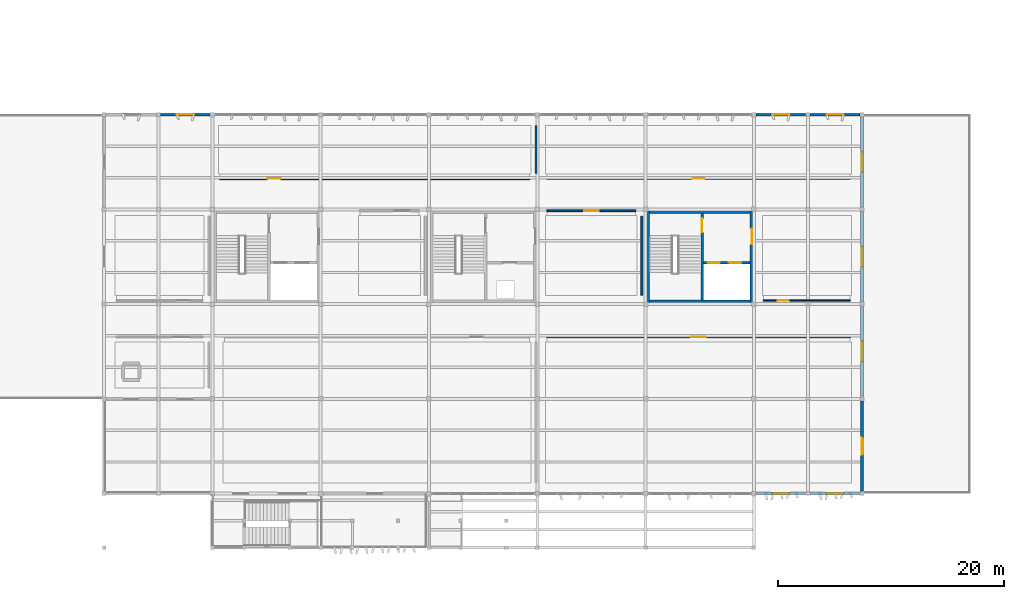
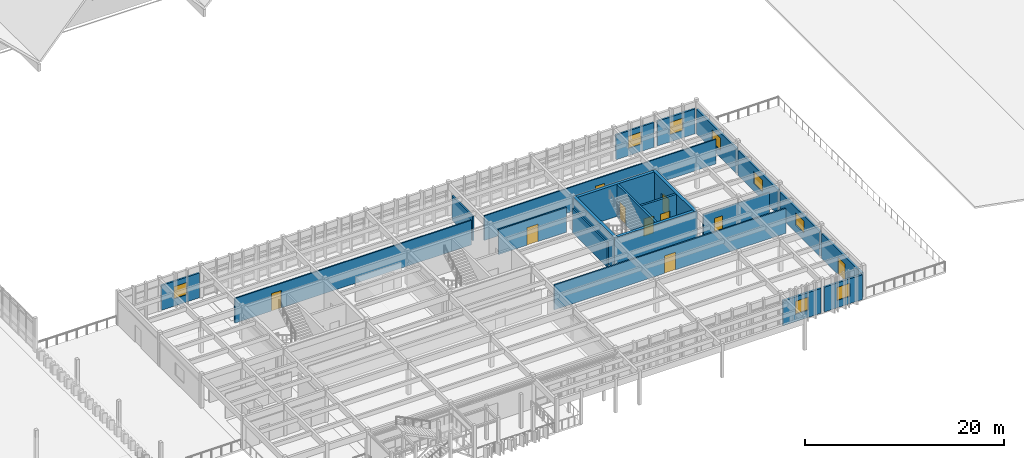
# One storey, part 32 of 42: 22 walls, 10 doors, 8 windows, 18 openings.
"""IFC4 building model written with IfcOpenShell, lengths in metres."""

from ifc_helpers import new_model, si_unit, direction, frame, frame_2d, origin, place, context, subcontext, project, spatial, rectangle, extrude, material, layer, layer_set, type_object, element, fill, save


model = new_model("IFC4")

# Units and contexts
model_context = context("Model", 3, precision=1e-05, world=origin(), true_north=direction((0.0, 1.0)))
body_context = subcontext(model_context, "Body", "Model", "MODEL_VIEW")
ifc_project = project(units=[si_unit("LENGTHUNIT", "METRE"), si_unit("AREAUNIT", "SQUARE_METRE"), si_unit("VOLUMEUNIT", "CUBIC_METRE"), si_unit("PLANEANGLEUNIT", "RADIAN"), si_unit("MASSUNIT", "GRAM", prefix="KILO")], contexts=[model_context])

# Site, building, storey
site_placement = place(None, origin())
site = spatial("IfcSite", under=ifc_project, at=site_placement, CompositionType="ELEMENT")
building_placement = place(site_placement, origin())
building = spatial("IfcBuilding", under=site, at=building_placement, Name="Kolvemor Railside Polytechnic", CompositionType="ELEMENT")
storey_placement = place(building_placement, frame((0.0, 0.0, 14.39990234375)))
storey = spatial("IfcBuildingStorey", under=building, at=storey_placement, Name="L03", CompositionType="ELEMENT", Elevation=14.39990234375)

# Walls
ifc_material_1 = material(Name="Concrete C40/50", Category="concrete")
ifc_layer_1 = layer(ifc_material_1, 0.35009765625, Name="WL-CORE-350")
ifc_layer_set_1 = layer_set([ifc_layer_1], Name="Concrete C40/50")
wall_type_1 = type_object("IfcWallType", Name="WL-CORE-350", PredefinedType="SHEAR", material=ifc_layer_set_1)
for number, where, z_axis, x_axis, name in (
    (1, (105.60009765625, 29.824951171875, 0.0), (0.0, 0.0, 1.0), (1.0, 0.0, 0.0), "CORE-2 North Core Wall L03"),
    (2, (105.60009765625, 21.77490234375, 0.0), (0.0, 0.0, 1.0), (1.0, 0.0, 0.0), "CORE-2 South Core Wall L03"),
):
    element("IfcWall", number, at=place(storey_placement, frame(where, z_axis=z_axis, x_axis=x_axis)), inside=storey, type_object=wall_type_1, Name=name, PredefinedType="SHEAR", context=body_context, shape_type="SweptSolid", body=[
        extrude(rectangle(XDim=9.599853515625, YDim=0.35009765625, at=frame_2d((4.7998046875, 0.0))), origin(), (0.0, 0.0, 1.0), 3.9501953125),
    ])
wall_1_placement = place(storey_placement, frame((105.77490234375, 21.60009765625, 0.0), z_axis=(0.0, 0.0, 1.0), x_axis=(0.0, 1.0, 0.0)))
element("IfcWall", 3, at=wall_1_placement, inside=storey, type_object=wall_type_1, Name="CORE-2 West Core Wall L03", PredefinedType="SHEAR", context=body_context, shape_type="SweptSolid", body=[
    extrude(rectangle(XDim=8.39990234375, YDim=0.35009765625, at=frame_2d((4.199951171875, 0.0))), origin(), (0.0, 0.0, 1.0), 3.9501953125),
])

# Wall, opening, door
wall_2_placement = place(storey_placement, frame((115.02490234375, 21.60009765625, 0.0), z_axis=(0.0, 0.0, 1.0), x_axis=(0.0, 1.0, 0.0)))
wall_2 = element("IfcWall", 4, at=wall_2_placement, inside=storey, type_object=wall_type_1, Name="CORE-2 East Core Wall L03", PredefinedType="SHEAR", context=body_context, shape_type="SweptSolid", body=[
    extrude(rectangle(XDim=8.39990234375, YDim=0.35009765625, at=frame_2d((4.199951171875, 0.0))), origin(), (0.0, 0.0, 1.0), 3.9501953125),
])
opening_1_placement = place(wall_2_placement, frame((5.300048828125, 0.0, 0.0)))
opening_1 = element("IfcOpeningElement", 5, at=opening_1_placement, cuts=wall_2, Name="Opening D-LOB-2-L03", PredefinedType="OPENING", context=body_context, shape_type="SweptSolid", body=[
    extrude(rectangle(XDim=1.39990234375, YDim=2.14990234375, at=frame_2d((0.699951171875, 1.074951171875))), frame((0.0, 0.18505859375, 0.0), z_axis=(0.0, -1.0, 0.0), x_axis=(1.0, 0.0, 0.0)), (0.0, 0.0, 1.0), 0.3701171875),
])
ifc_material_2 = material(Name="Fire-rated hardwood and brushed stainless-steel door", Category="steel")
door_type_1 = type_object("IfcDoorType", Name="DR-FD60-140x215", OperationType="NOTDEFINED", PredefinedType="DOOR", material=ifc_material_2)
door_1_placement = place(opening_1_placement, origin())
door_1 = element("IfcDoor", 6, at=door_1_placement, inside=storey, type_object=door_type_1, Name="Core Lobby Fire Door CORE-2 L03", OperationType="SINGLE_SWING_LEFT", OverallHeight=2.14990234375, OverallWidth=1.39990234375, PredefinedType="DOOR", context=body_context, shape_type="SweptSolid", body=[
    extrude(rectangle(XDim=1.39990234375, YDim=2.14990234375, at=frame_2d((0.699951171875, 1.074951171875))), frame((0.0, 0.02490234375, 0.0), z_axis=(0.0, -1.0, 0.0), x_axis=(1.0, 0.0, 0.0)), (0.0, 0.0, 1.0), 0.050048828125),
])
fill(opening_1, door_1)

# Wall, opening, window
ifc_material_3 = material(Name="Cross-laminated timber CLT E1", Category="wood")
ifc_layer_2 = layer(ifc_material_3, 0.2099609375, Name="WL-EXT-TM-210")
ifc_layer_set_2 = layer_set([ifc_layer_2], Name="Cross-laminated timber CLT E1")
wall_type_2 = type_object("IfcWallType", Name="WL-EXT-TM-210", PredefinedType="SOLIDWALL", material=ifc_layer_set_2)
wall_3_placement = place(storey_placement, frame((67.0, 38.39990234375, 0.0), z_axis=(0.0, 0.0, 1.0), x_axis=(-1.0, 0.0, 0.0)))
wall_3 = element("IfcWall", 7, at=wall_3_placement, inside=storey, type_object=wall_type_2, Name="Exterior Wall L03-0154", PredefinedType="SOLIDWALL", context=body_context, shape_type="SweptSolid", body=[
    extrude(rectangle(XDim=4.39990234375, YDim=0.2099609375, at=frame_2d((2.199951171875, 0.0))), origin(), (0.0, 0.0, 1.0), 3.050048828125),
])
opening_2_placement = place(wall_3_placement, frame((1.449951171875, 0.0, 0.89990234375)))
opening_2 = element("IfcOpeningElement", 8, at=opening_2_placement, cuts=wall_3, Name="Opening WN-LAB4", PredefinedType="OPENING", context=body_context, shape_type="SweptSolid", body=[
    extrude(rectangle(XDim=1.5, YDim=1.5, at=frame_2d((0.75, 0.75))), frame((0.0, 0.114990234375, 0.0), z_axis=(0.0, -1.0, 0.0), x_axis=(1.0, 0.0, 0.0)), (0.0, 0.0, 1.0), 0.22998046875),
])
ifc_material_4 = material(Name="Hurricane-laminated thermally broken aluminium window", Category="aluminium")
window_type_1 = type_object("IfcWindowType", Name="WN-LAB-150x150", PartitioningType="SINGLE_PANEL", PredefinedType="WINDOW", material=ifc_material_4)
window_1_placement = place(opening_2_placement, origin())
window_1 = element("IfcWindow", 9, at=window_1_placement, inside=storey, type_object=window_type_1, Name="Window L03-0166", OverallHeight=1.5, OverallWidth=1.5, PartitioningType="SINGLE_PANEL", PredefinedType="WINDOW", context=body_context, shape_type="SweptSolid", body=[
    extrude(rectangle(XDim=1.5, YDim=1.5, at=frame_2d((0.75, 0.75))), frame((0.0, 0.030029296875, 0.0), z_axis=(0.0, -1.0, 0.0), x_axis=(1.0, 0.0, 0.0)), (0.0, 0.0, 1.0), 0.06005859375),
])
fill(opening_2, window_1)

wall_4_placement = place(storey_placement, frame((119.800048828125, 38.39990234375, 0.0), z_axis=(0.0, 0.0, 1.0), x_axis=(-1.0, 0.0, 0.0)))
wall_4 = element("IfcWall", 10, at=wall_4_placement, inside=storey, type_object=wall_type_2, Name="Exterior Wall L03-0155", PredefinedType="SOLIDWALL", context=body_context, shape_type="SweptSolid", body=[
    extrude(rectangle(XDim=4.400146484375, YDim=0.2099609375, at=frame_2d((2.2001953125, 0.0))), origin(), (0.0, 0.0, 1.0), 3.050048828125),
])
opening_3_placement = place(wall_4_placement, frame((1.449951171875, 0.0, 0.89990234375)))
opening_3 = element("IfcOpeningElement", 11, at=opening_3_placement, cuts=wall_4, Name="Opening WN-LAB4", PredefinedType="OPENING", context=body_context, shape_type="SweptSolid", body=[
    extrude(rectangle(XDim=1.5, YDim=1.5, at=frame_2d((0.75, 0.75))), frame((0.0, 0.114990234375, 0.0), z_axis=(0.0, -1.0, 0.0), x_axis=(1.0, 0.0, 0.0)), (0.0, 0.0, 1.0), 0.22998046875),
])
window_2_placement = place(opening_3_placement, origin())
window_2 = element("IfcWindow", 12, at=window_2_placement, inside=storey, type_object=window_type_1, Name="Window L03-0167", OverallHeight=1.5, OverallWidth=1.5, PartitioningType="SINGLE_PANEL", PredefinedType="WINDOW", context=body_context, shape_type="SweptSolid", body=[
    extrude(rectangle(XDim=1.5, YDim=1.5, at=frame_2d((0.75, 0.75))), frame((0.0, 0.030029296875, 0.0), z_axis=(0.0, -1.0, 0.0), x_axis=(1.0, 0.0, 0.0)), (0.0, 0.0, 1.0), 0.06005859375),
])
fill(opening_3, window_2)

wall_5_placement = place(storey_placement, frame((124.60009765625, 38.39990234375, 0.0), z_axis=(0.0, 0.0, 1.0), x_axis=(-1.0, 0.0, 0.0)))
wall_5 = element("IfcWall", 13, at=wall_5_placement, inside=storey, type_object=wall_type_2, Name="Exterior Wall L03-0156", PredefinedType="SOLIDWALL", context=body_context, shape_type="SweptSolid", body=[
    extrude(rectangle(XDim=4.400146484375, YDim=0.2099609375, at=frame_2d((2.2001953125, 0.0))), origin(), (0.0, 0.0, 1.0), 3.050048828125),
])
opening_4_placement = place(wall_5_placement, frame((1.449951171875, 0.0, 0.89990234375)))
opening_4 = element("IfcOpeningElement", 14, at=opening_4_placement, cuts=wall_5, Name="Opening WN-LAB4", PredefinedType="OPENING", context=body_context, shape_type="SweptSolid", body=[
    extrude(rectangle(XDim=1.5, YDim=1.5, at=frame_2d((0.75, 0.75))), frame((0.0, 0.114990234375, 0.0), z_axis=(0.0, -1.0, 0.0), x_axis=(1.0, 0.0, 0.0)), (0.0, 0.0, 1.0), 0.22998046875),
])
window_3_placement = place(opening_4_placement, origin())
window_3 = element("IfcWindow", 15, at=window_3_placement, inside=storey, type_object=window_type_1, Name="Window L03-0168", OverallHeight=1.5, OverallWidth=1.5, PartitioningType="SINGLE_PANEL", PredefinedType="WINDOW", context=body_context, shape_type="SweptSolid", body=[
    extrude(rectangle(XDim=1.5, YDim=1.5, at=frame_2d((0.75, 0.75))), frame((0.0, 0.030029296875, 0.0), z_axis=(0.0, -1.0, 0.0), x_axis=(1.0, 0.0, 0.0)), (0.0, 0.0, 1.0), 0.06005859375),
])
fill(opening_4, window_3)

ifc_material_5 = material(Name="Cross-laminated timber CLT E1", Category="wood")
ifc_layer_3 = layer(ifc_material_5, 0.239990234375, Name="WL-EXT-TM-240")
ifc_layer_set_3 = layer_set([ifc_layer_3], Name="Cross-laminated timber CLT E1")
wall_type_3 = type_object("IfcWallType", Name="WL-EXT-TM-240", PredefinedType="SOLIDWALL", material=ifc_layer_set_3)
wall_6_placement = place(storey_placement, frame((115.39990234375, 4.800048828125, 0.0), z_axis=(0.0, 0.0, 1.0), x_axis=(1.0, 0.0, 0.0)))
wall_6 = element("IfcWall", 16, at=wall_6_placement, inside=storey, type_object=wall_type_3, Name="Exterior Wall L03-0131", PredefinedType="SOLIDWALL", context=body_context, shape_type="SweptSolid", body=[
    extrude(rectangle(XDim=4.400146484375, YDim=0.239990234375, at=frame_2d((2.2001953125, 0.0))), origin(), (0.0, 0.0, 1.0), 3.050048828125),
])
opening_5_placement = place(wall_6_placement, frame((1.449951171875, 0.0, 0.89990234375)))
opening_5 = element("IfcOpeningElement", 17, at=opening_5_placement, cuts=wall_6, Name="Opening WN-STU4", PredefinedType="OPENING", context=body_context, shape_type="SweptSolid", body=[
    extrude(rectangle(XDim=1.5, YDim=1.60009765625, at=frame_2d((0.75, 0.800048828125))), frame((0.0, 0.1298828125, 0.0), z_axis=(0.0, -1.0, 0.0), x_axis=(1.0, 0.0, 0.0)), (0.0, 0.0, 1.0), 0.260009765625),
])
ifc_material_6 = material(Name="Hurricane-laminated thermally broken aluminium window", Category="aluminium")
window_type_2 = type_object("IfcWindowType", Name="WN-STU-150x160", PartitioningType="SINGLE_PANEL", PredefinedType="WINDOW", material=ifc_material_6)
window_4_placement = place(opening_5_placement, origin())
window_4 = element("IfcWindow", 18, at=window_4_placement, inside=storey, type_object=window_type_2, Name="Window L03-0140", OverallHeight=1.60009765625, OverallWidth=1.5, PartitioningType="SINGLE_PANEL", PredefinedType="WINDOW", context=body_context, shape_type="SweptSolid", body=[
    extrude(rectangle(XDim=1.5, YDim=1.60009765625, at=frame_2d((0.75, 0.800048828125))), frame((0.0, 0.030029296875, 0.0), z_axis=(0.0, -1.0, 0.0), x_axis=(1.0, 0.0, 0.0)), (0.0, 0.0, 1.0), 0.06005859375),
])
fill(opening_5, window_4)

wall_7_placement = place(storey_placement, frame((120.199951171875, 4.800048828125, 0.0), z_axis=(0.0, 0.0, 1.0), x_axis=(1.0, 0.0, 0.0)))
wall_7 = element("IfcWall", 19, at=wall_7_placement, inside=storey, type_object=wall_type_3, Name="Exterior Wall L03-0132", PredefinedType="SOLIDWALL", context=body_context, shape_type="SweptSolid", body=[
    extrude(rectangle(XDim=4.400146484375, YDim=0.239990234375, at=frame_2d((2.2001953125, 0.0))), origin(), (0.0, 0.0, 1.0), 3.050048828125),
])
opening_6_placement = place(wall_7_placement, frame((1.449951171875, 0.0, 0.89990234375)))
opening_6 = element("IfcOpeningElement", 20, at=opening_6_placement, cuts=wall_7, Name="Opening WN-STU4", PredefinedType="OPENING", context=body_context, shape_type="SweptSolid", body=[
    extrude(rectangle(XDim=1.5, YDim=1.60009765625, at=frame_2d((0.75, 0.800048828125))), frame((0.0, 0.1298828125, 0.0), z_axis=(0.0, -1.0, 0.0), x_axis=(1.0, 0.0, 0.0)), (0.0, 0.0, 1.0), 0.260009765625),
])
window_5_placement = place(opening_6_placement, origin())
window_5 = element("IfcWindow", 21, at=window_5_placement, inside=storey, type_object=window_type_2, Name="Window L03-0141", OverallHeight=1.60009765625, OverallWidth=1.5, PartitioningType="SINGLE_PANEL", PredefinedType="WINDOW", context=body_context, shape_type="SweptSolid", body=[
    extrude(rectangle(XDim=1.5, YDim=1.60009765625, at=frame_2d((0.75, 0.800048828125))), frame((0.0, 0.030029296875, 0.0), z_axis=(0.0, -1.0, 0.0), x_axis=(1.0, 0.0, 0.0)), (0.0, 0.0, 1.0), 0.06005859375),
])
fill(opening_6, window_5)

# Wall, opening, door
wall_8_placement = place(storey_placement, frame((124.800048828125, 5.0, 0.0), z_axis=(0.0, 0.0, 1.0), x_axis=(0.0, 1.0, 0.0)))
wall_8 = element("IfcWall", 22, at=wall_8_placement, inside=storey, type_object=wall_type_3, Name="Exterior Wall L03-0169", PredefinedType="SOLIDWALL", context=body_context, shape_type="SweptSolid", body=[
    extrude(rectangle(XDim=8.0, YDim=0.239990234375, at=frame_2d((4.0, 0.0))), origin(), (0.0, 0.0, 1.0), 3.050048828125),
])
opening_7_placement = place(wall_8_placement, frame((3.25, 0.0, 0.0)))
opening_7 = element("IfcOpeningElement", 23, at=opening_7_placement, cuts=wall_8, Name="Opening D-TER-L03E", PredefinedType="OPENING", context=body_context, shape_type="SweptSolid", body=[
    extrude(rectangle(XDim=1.5, YDim=2.14990234375, at=frame_2d((0.75, 1.074951171875))), frame((0.0, 0.1298828125, 0.0), z_axis=(0.0, -1.0, 0.0), x_axis=(1.0, 0.0, 0.0)), (0.0, 0.0, 1.0), 0.260009765625),
])
ifc_material_7 = material(Name="Marine-grade thermally broken aluminium and laminated glass door", Category="aluminium")
door_type_2 = type_object("IfcDoorType", Name="DR-TER-150x215", OperationType="NOTDEFINED", PredefinedType="DOOR", material=ifc_material_7)
door_2_placement = place(opening_7_placement, origin())
door_2 = element("IfcDoor", 24, at=door_2_placement, inside=storey, type_object=door_type_2, Name="Exterior Door D-TER-L03E", OperationType="SINGLE_SWING_RIGHT", OverallHeight=2.14990234375, OverallWidth=1.5, PredefinedType="DOOR", context=body_context, shape_type="SweptSolid", body=[
    extrude(rectangle(XDim=1.5, YDim=2.14990234375, at=frame_2d((0.75, 1.074951171875))), frame((0.0, 0.02490234375, 0.0), z_axis=(0.0, -1.0, 0.0), x_axis=(1.0, 0.0, 0.0)), (0.0, 0.0, 1.0), 0.050048828125),
])
fill(opening_7, door_2)

# Wall, opening, window
wall_9_placement = place(storey_placement, frame((124.800048828125, 13.39990234375, 0.0), z_axis=(0.0, 0.0, 1.0), x_axis=(0.0, 1.0, 0.0)))
wall_9 = element("IfcWall", 25, at=wall_9_placement, inside=storey, type_object=wall_type_3, Name="Exterior Wall L03-0170", PredefinedType="SOLIDWALL", context=body_context, shape_type="SweptSolid", body=[
    extrude(rectangle(XDim=8.0, YDim=0.239990234375, at=frame_2d((4.0, 0.0))), origin(), (0.0, 0.0, 1.0), 3.050048828125),
])
opening_8_placement = place(wall_9_placement, frame((3.10009765625, 0.0, 0.89990234375)))
opening_8 = element("IfcOpeningElement", 26, at=opening_8_placement, cuts=wall_9, Name="Opening WN-LAB", PredefinedType="OPENING", context=body_context, shape_type="SweptSolid", body=[
    extrude(rectangle(XDim=1.800048828125, YDim=1.5, at=frame_2d((0.89990234375, 0.75))), frame((0.0, 0.1298828125, 0.0), z_axis=(0.0, -1.0, 0.0), x_axis=(1.0, 0.0, 0.0)), (0.0, 0.0, 1.0), 0.260009765625),
])
ifc_material_8 = material(Name="Hurricane-laminated thermally broken aluminium window", Category="aluminium")
window_type_3 = type_object("IfcWindowType", Name="WN-LAB-180x150", PartitioningType="DOUBLE_PANEL_VERTICAL", PredefinedType="WINDOW", material=ifc_material_8)
window_6_placement = place(opening_8_placement, origin())
window_6 = element("IfcWindow", 27, at=window_6_placement, inside=storey, type_object=window_type_3, Name="Window L03-0176", OverallHeight=1.5, OverallWidth=1.800048828125, PartitioningType="SINGLE_PANEL", PredefinedType="WINDOW", context=body_context, shape_type="SweptSolid", body=[
    extrude(rectangle(XDim=1.800048828125, YDim=1.5, at=frame_2d((0.89990234375, 0.75))), frame((0.0, 0.030029296875, 0.0), z_axis=(0.0, -1.0, 0.0), x_axis=(1.0, 0.0, 0.0)), (0.0, 0.0, 1.0), 0.06005859375),
])
fill(opening_8, window_6)

wall_10_placement = place(storey_placement, frame((124.800048828125, 21.800048828125, 0.0), z_axis=(0.0, 0.0, 1.0), x_axis=(0.0, 1.0, 0.0)))
wall_10 = element("IfcWall", 28, at=wall_10_placement, inside=storey, type_object=wall_type_3, Name="Exterior Wall L03-0171", PredefinedType="SOLIDWALL", context=body_context, shape_type="SweptSolid", body=[
    extrude(rectangle(XDim=8.0, YDim=0.239990234375, at=frame_2d((4.0, 0.0))), origin(), (0.0, 0.0, 1.0), 3.050048828125),
])
opening_9_placement = place(wall_10_placement, frame((3.10009765625, 0.0, 0.89990234375)))
opening_9 = element("IfcOpeningElement", 29, at=opening_9_placement, cuts=wall_10, Name="Opening WN-LAB", PredefinedType="OPENING", context=body_context, shape_type="SweptSolid", body=[
    extrude(rectangle(XDim=1.800048828125, YDim=1.5, at=frame_2d((0.89990234375, 0.75))), frame((0.0, 0.1298828125, 0.0), z_axis=(0.0, -1.0, 0.0), x_axis=(1.0, 0.0, 0.0)), (0.0, 0.0, 1.0), 0.260009765625),
])
window_7_placement = place(opening_9_placement, origin())
window_7 = element("IfcWindow", 30, at=window_7_placement, inside=storey, type_object=window_type_3, Name="Window L03-0177", OverallHeight=1.5, OverallWidth=1.800048828125, PartitioningType="SINGLE_PANEL", PredefinedType="WINDOW", context=body_context, shape_type="SweptSolid", body=[
    extrude(rectangle(XDim=1.800048828125, YDim=1.5, at=frame_2d((0.89990234375, 0.75))), frame((0.0, 0.030029296875, 0.0), z_axis=(0.0, -1.0, 0.0), x_axis=(1.0, 0.0, 0.0)), (0.0, 0.0, 1.0), 0.06005859375),
])
fill(opening_9, window_7)

wall_11_placement = place(storey_placement, frame((124.800048828125, 30.199951171875, 0.0), z_axis=(0.0, 0.0, 1.0), x_axis=(0.0, 1.0, 0.0)))
wall_11 = element("IfcWall", 31, at=wall_11_placement, inside=storey, type_object=wall_type_3, Name="Exterior Wall L03-0172", PredefinedType="SOLIDWALL", context=body_context, shape_type="SweptSolid", body=[
    extrude(rectangle(XDim=8.0, YDim=0.239990234375, at=frame_2d((4.0, 0.0))), origin(), (0.0, 0.0, 1.0), 3.050048828125),
])
opening_10_placement = place(wall_11_placement, frame((3.10009765625, 0.0, 0.89990234375)))
opening_10 = element("IfcOpeningElement", 32, at=opening_10_placement, cuts=wall_11, Name="Opening WN-LAB", PredefinedType="OPENING", context=body_context, shape_type="SweptSolid", body=[
    extrude(rectangle(XDim=1.800048828125, YDim=1.5, at=frame_2d((0.89990234375, 0.75))), frame((0.0, 0.1298828125, 0.0), z_axis=(0.0, -1.0, 0.0), x_axis=(1.0, 0.0, 0.0)), (0.0, 0.0, 1.0), 0.260009765625),
])
window_8_placement = place(opening_10_placement, origin())
window_8 = element("IfcWindow", 33, at=window_8_placement, inside=storey, type_object=window_type_3, Name="Window L03-0178", OverallHeight=1.5, OverallWidth=1.800048828125, PartitioningType="SINGLE_PANEL", PredefinedType="WINDOW", context=body_context, shape_type="SweptSolid", body=[
    extrude(rectangle(XDim=1.800048828125, YDim=1.5, at=frame_2d((0.89990234375, 0.75))), frame((0.0, 0.030029296875, 0.0), z_axis=(0.0, -1.0, 0.0), x_axis=(1.0, 0.0, 0.0)), (0.0, 0.0, 1.0), 0.06005859375),
])
fill(opening_10, window_8)

# Wall, opening, door
ifc_material_9 = material(Name="Wet-area tile-backer partition")
ifc_layer_4 = layer(ifc_material_9, 0.1201171875, Name="WL-PART-120")
ifc_layer_set_4 = layer_set([ifc_layer_4], Name="Wet-area tile-backer partition")
wall_type_4 = type_object("IfcWallType", Name="WL-PART-120", PredefinedType="PARTITIONING", material=ifc_layer_set_4)
wall_12_placement = place(storey_placement, frame((116.050048828125, 21.919921875, 0.0), z_axis=(0.0, 0.0, 1.0), x_axis=(1.0, 0.0, 0.0)))
wall_12 = element("IfcWall", 34, at=wall_12_placement, inside=storey, type_object=wall_type_4, Name="Partition Wall L03-0185", PredefinedType="PARTITIONING", context=body_context, shape_type="SweptSolid", body=[
    extrude(rectangle(XDim=7.699951171875, YDim=0.1201171875, at=frame_2d((3.85009765625, 0.0))), origin(), (0.0, 0.0, 1.0), 3.030029296875),
])
opening_11_placement = place(wall_12_placement, frame((1.2919921875, 0.0, 0.0)))
opening_11 = element("IfcOpeningElement", 35, at=opening_11_placement, cuts=wall_12, Name="Opening D-03104", PredefinedType="OPENING", context=body_context, shape_type="SweptSolid", body=[
    extrude(rectangle(XDim=0.949951171875, YDim=2.10009765625, at=frame_2d((0.47509765625, 1.050048828125))), frame((0.0, 0.070068359375, 0.0), z_axis=(0.0, -1.0, 0.0), x_axis=(1.0, 0.0, 0.0)), (0.0, 0.0, 1.0), 0.14013671875),
])
ifc_material_10 = material(Name="Solid hardwood acoustic door", Category="wood")
door_type_3 = type_object("IfcDoorType", Name="DR-WC-095x210", OperationType="NOTDEFINED", PredefinedType="DOOR", material=ifc_material_10)
door_3_placement = place(opening_11_placement, origin())
door_3 = element("IfcDoor", 36, at=door_3_placement, inside=storey, type_object=door_type_3, Name="Room Door D-03104 (Main Stack Public and Accessible WC L03)", OperationType="SINGLE_SWING_LEFT", OverallHeight=2.10009765625, OverallWidth=0.949951171875, PredefinedType="DOOR", context=body_context, shape_type="SweptSolid", body=[
    extrude(rectangle(XDim=0.949951171875, YDim=2.10009765625, at=frame_2d((0.47509765625, 1.050048828125))), frame((0.0, 0.02490234375, 0.0), z_axis=(0.0, -1.0, 0.0), x_axis=(1.0, 0.0, 0.0)), (0.0, 0.0, 1.0), 0.050048828125),
])
fill(opening_11, door_3)

ifc_material_11 = material(Name="Seminar acoustic partition")
ifc_layer_5 = layer(ifc_material_11, 0.139892578125, Name="WL-PART-140")
ifc_layer_set_5 = layer_set([ifc_layer_5], Name="Seminar acoustic partition")
wall_type_5 = type_object("IfcWallType", Name="WL-PART-140", PredefinedType="PARTITIONING", material=ifc_layer_set_5)
wall_13_placement = place(storey_placement, frame((96.85009765625, 32.719970703125, 0.0), z_axis=(0.0, 0.0, 1.0), x_axis=(1.0, 0.0, 0.0)))
wall_13 = element("IfcWall", 37, at=wall_13_placement, inside=storey, type_object=wall_type_5, Name="Partition Wall L03-0188", PredefinedType="PARTITIONING", context=body_context, shape_type="SweptSolid", body=[
    extrude(rectangle(XDim=26.89990234375, YDim=0.139892578125, at=frame_2d((13.449951171875, 0.0))), origin(), (0.0, 0.0, 1.0), 3.030029296875),
])
opening_12_placement = place(wall_13_placement, frame((12.929931640625, 0.0, 0.0)))
opening_12 = element("IfcOpeningElement", 38, at=opening_12_placement, cuts=wall_13, Name="Opening D-03106", PredefinedType="OPENING", context=body_context, shape_type="SweptSolid", body=[
    extrude(rectangle(XDim=1.0400390625, YDim=2.14990234375, at=frame_2d((0.52001953125, 1.074951171875))), frame((0.0, 0.079833984375, 0.0), z_axis=(0.0, -1.0, 0.0), x_axis=(1.0, 0.0, 0.0)), (0.0, 0.0, 1.0), 0.159912109375),
])
ifc_material_12 = material(Name="Solid hardwood acoustic door", Category="wood")
door_type_4 = type_object("IfcDoorType", Name="DR-SEM-104x215", OperationType="NOTDEFINED", PredefinedType="DOOR", material=ifc_material_12)
door_4_placement = place(opening_12_placement, origin())
door_4 = element("IfcDoor", 39, at=door_4_placement, inside=storey, type_object=door_type_4, Name="Room Door D-03106 (Seminar Room 303)", OperationType="SINGLE_SWING_LEFT", OverallHeight=2.14990234375, OverallWidth=1.0400390625, PredefinedType="DOOR", context=body_context, shape_type="SweptSolid", body=[
    extrude(rectangle(XDim=1.0400390625, YDim=2.14990234375, at=frame_2d((0.52001953125, 1.074951171875))), frame((0.0, 0.02490234375, 0.0), z_axis=(0.0, -1.0, 0.0), x_axis=(1.0, 0.0, 0.0)), (0.0, 0.0, 1.0), 0.050048828125),
])
fill(opening_12, door_4)

ifc_material_13 = material(Name="Acoustic studio partition")
ifc_layer_6 = layer(ifc_material_13, 0.14990234375, Name="WL-PART-150")
ifc_layer_set_6 = layer_set([ifc_layer_6], Name="Acoustic studio partition")
wall_type_6 = type_object("IfcWallType", Name="WL-PART-150", PredefinedType="PARTITIONING", material=ifc_layer_set_6)
wall_14_placement = place(storey_placement, frame((67.85009765625, 32.719970703125, 0.0), z_axis=(0.0, 0.0, 1.0), x_axis=(1.0, 0.0, 0.0)))
wall_14 = element("IfcWall", 40, at=wall_14_placement, inside=storey, type_object=wall_type_6, Name="Partition Wall L03-0186", PredefinedType="PARTITIONING", context=body_context, shape_type="SweptSolid", body=[
    extrude(rectangle(XDim=27.5, YDim=0.14990234375, at=frame_2d((13.75, 0.0))), origin(), (0.0, 0.0, 1.0), 3.030029296875),
])
opening_13_placement = place(wall_14_placement, frame((4.22802734375, 0.0, 0.0)))
opening_13 = element("IfcOpeningElement", 41, at=opening_13_placement, cuts=wall_14, Name="Opening D-03105", PredefinedType="OPENING", context=body_context, shape_type="SweptSolid", body=[
    extrude(rectangle(XDim=1.179931640625, YDim=2.14990234375, at=frame_2d((0.58984375, 1.074951171875))), frame((0.0, 0.0849609375, 0.0), z_axis=(0.0, -1.0, 0.0), x_axis=(1.0, 0.0, 0.0)), (0.0, 0.0, 1.0), 0.169921875),
])
ifc_material_14 = material(Name="Solid hardwood acoustic door", Category="wood")
door_type_5 = type_object("IfcDoorType", Name="DR-STU-118x215", OperationType="NOTDEFINED", PredefinedType="DOOR", material=ifc_material_14)
door_5_placement = place(opening_13_placement, origin())
door_5 = element("IfcDoor", 42, at=door_5_placement, inside=storey, type_object=door_type_5, Name="Room Door D-03105 (Digital Fabrication Design Studio)", OperationType="SINGLE_SWING_RIGHT", OverallHeight=2.14990234375, OverallWidth=1.179931640625, PredefinedType="DOOR", context=body_context, shape_type="SweptSolid", body=[
    extrude(rectangle(XDim=1.179931640625, YDim=2.14990234375, at=frame_2d((0.58984375, 1.074951171875))), frame((0.0, 0.02490234375, 0.0), z_axis=(0.0, -1.0, 0.0), x_axis=(1.0, 0.0, 0.0)), (0.0, 0.0, 1.0), 0.050048828125),
])
fill(opening_13, door_5)

# Wall
wall_15_placement = place(storey_placement, frame((95.8798828125, 33.199951171875, 0.0), z_axis=(0.0, 0.0, 1.0), x_axis=(0.0, 1.0, 0.0)))
element("IfcWall", 43, at=wall_15_placement, inside=storey, type_object=wall_type_6, Name="Demising Partition L03-0187", PredefinedType="PARTITIONING", context=body_context, shape_type="SweptSolid", body=[
    extrude(rectangle(XDim=4.199951171875, YDim=0.14990234375, at=frame_2d((2.10009765625, 0.0))), origin(), (0.0, 0.0, 1.0), 3.030029296875),
])

# Wall, opening, door
ifc_material_15 = material(Name="Fire-rated laboratory corridor partition")
ifc_layer_7 = layer(ifc_material_15, 0.1650390625, Name="WL-PART-165")
ifc_layer_set_7 = layer_set([ifc_layer_7], Name="Fire-rated laboratory corridor partition")
wall_type_7 = type_object("IfcWallType", Name="WL-PART-165", PredefinedType="PARTITIONING", material=ifc_layer_set_7)
wall_16_placement = place(storey_placement, frame((96.85009765625, 18.679931640625, 0.0), z_axis=(0.0, 0.0, 1.0), x_axis=(1.0, 0.0, 0.0)))
wall_16 = element("IfcWall", 44, at=wall_16_placement, inside=storey, type_object=wall_type_7, Name="Partition Wall L03-0178", PredefinedType="PARTITIONING", context=body_context, shape_type="SweptSolid", body=[
    extrude(rectangle(XDim=26.89990234375, YDim=0.1650390625, at=frame_2d((13.449951171875, 0.0))), origin(), (0.0, 0.0, 1.0), 3.030029296875),
])
opening_14_placement = place(wall_16_placement, frame((12.800048828125, 0.0, 0.0)))
opening_14 = element("IfcOpeningElement", 45, at=opening_14_placement, cuts=wall_16, Name="Opening D-03100", PredefinedType="OPENING", context=body_context, shape_type="SweptSolid", body=[
    extrude(rectangle(XDim=1.300048828125, YDim=2.14990234375, at=frame_2d((0.64990234375, 1.074951171875))), frame((0.0, 0.092529296875, 0.0), z_axis=(0.0, -1.0, 0.0), x_axis=(1.0, 0.0, 0.0)), (0.0, 0.0, 1.0), 0.18505859375),
])
ifc_material_16 = material(Name="Fire-rated hardwood and brushed stainless-steel door", Category="steel")
door_type_6 = type_object("IfcDoorType", Name="DR-LAB-130x215", OperationType="NOTDEFINED", PredefinedType="DOOR", material=ifc_material_16)
door_6_placement = place(opening_14_placement, origin())
door_6 = element("IfcDoor", 46, at=door_6_placement, inside=storey, type_object=door_type_6, Name="Room Door D-03100 (Embedded Microelectronics Laboratory)", OperationType="SINGLE_SWING_LEFT", OverallHeight=2.14990234375, OverallWidth=1.300048828125, PredefinedType="DOOR", context=body_context, shape_type="SweptSolid", body=[
    extrude(rectangle(XDim=1.300048828125, YDim=2.14990234375, at=frame_2d((0.64990234375, 1.074951171875))), frame((0.0, 0.02490234375, 0.0), z_axis=(0.0, -1.0, 0.0), x_axis=(1.0, 0.0, 0.0)), (0.0, 0.0, 1.0), 0.050048828125),
])
fill(opening_14, door_6)

wall_17_placement = place(storey_placement, frame((96.85009765625, 29.8798828125, 0.0), z_axis=(0.0, 0.0, 1.0), x_axis=(1.0, 0.0, 0.0)))
wall_17 = element("IfcWall", 47, at=wall_17_placement, inside=storey, type_object=wall_type_7, Name="Partition Wall L03-0183", PredefinedType="PARTITIONING", context=body_context, shape_type="SweptSolid", body=[
    extrude(rectangle(XDim=7.89990234375, YDim=0.1650390625, at=frame_2d((3.949951171875, 0.0))), origin(), (0.0, 0.0, 1.0), 3.030029296875),
])
opening_15_placement = place(wall_17_placement, frame((3.300048828125, 0.0, 0.0)))
opening_15 = element("IfcOpeningElement", 48, at=opening_15_placement, cuts=wall_17, Name="Opening D-03103", PredefinedType="OPENING", context=body_context, shape_type="SweptSolid", body=[
    extrude(rectangle(XDim=1.300048828125, YDim=2.14990234375, at=frame_2d((0.64990234375, 1.074951171875))), frame((0.0, 0.092529296875, 0.0), z_axis=(0.0, -1.0, 0.0), x_axis=(1.0, 0.0, 0.0)), (0.0, 0.0, 1.0), 0.18505859375),
])
door_7_placement = place(opening_15_placement, origin())
door_7 = element("IfcDoor", 49, at=door_7_placement, inside=storey, type_object=door_type_6, Name="Room Door D-03103 (Industrial Automation Laboratory)", OperationType="SINGLE_SWING_RIGHT", OverallHeight=2.14990234375, OverallWidth=1.300048828125, PredefinedType="DOOR", context=body_context, shape_type="SweptSolid", body=[
    extrude(rectangle(XDim=1.300048828125, YDim=2.14990234375, at=frame_2d((0.64990234375, 1.074951171875))), frame((0.0, 0.02490234375, 0.0), z_axis=(0.0, -1.0, 0.0), x_axis=(1.0, 0.0, 0.0)), (0.0, 0.0, 1.0), 0.050048828125),
])
fill(opening_15, door_7)

# Wall
wall_18_placement = place(storey_placement, frame((105.280029296875, 22.39990234375, 0.0), z_axis=(0.0, 0.0, 1.0), x_axis=(0.0, 1.0, 0.0)))
element("IfcWall", 50, at=wall_18_placement, inside=storey, type_object=wall_type_7, Name="Demising Partition L03-0184", PredefinedType="PARTITIONING", context=body_context, shape_type="SweptSolid", body=[
    extrude(rectangle(XDim=7.0, YDim=0.1650390625, at=frame_2d((3.5, 0.0))), origin(), (0.0, 0.0, 1.0), 3.030029296875),
])

# Wall, opening, door
ifc_material_17 = material(Name="Concrete C40/50", Category="concrete")
ifc_layer_8 = layer(ifc_material_17, 0.25, Name="WL-SHFT-250")
ifc_layer_set_8 = layer_set([ifc_layer_8], Name="Concrete C40/50")
wall_type_8 = type_object("IfcWallType", Name="WL-SHFT-250", PredefinedType="SHEAR", material=ifc_layer_set_8)
wall_19_placement = place(storey_placement, frame((110.625, 29.64990234375, 0.0), z_axis=(0.0, 0.0, 1.0), x_axis=(0.0, -1.0, 0.0)))
wall_19 = element("IfcWall", 51, at=wall_19_placement, inside=storey, type_object=wall_type_8, Name="CORE-2 Stair-Lobby Divider Wall L03", PredefinedType="SHEAR", context=body_context, shape_type="SweptSolid", body=[
    extrude(rectangle(XDim=7.699951171875, YDim=0.25, at=frame_2d((3.85009765625, 0.0))), origin(), (0.0, 0.0, 1.0), 3.9501953125),
])
opening_16_placement = place(wall_19_placement, frame((0.449951171875, 0.0, 0.0)))
opening_16 = element("IfcOpeningElement", 52, at=opening_16_placement, cuts=wall_19, Name="Opening D-ST-2-L03", PredefinedType="OPENING", context=body_context, shape_type="SweptSolid", body=[
    extrude(rectangle(XDim=1.25, YDim=2.14990234375, at=frame_2d((0.625, 1.074951171875))), frame((0.0, 0.135009765625, 0.0), z_axis=(0.0, -1.0, 0.0), x_axis=(1.0, 0.0, 0.0)), (0.0, 0.0, 1.0), 0.27001953125),
])
ifc_material_18 = material(Name="Fire-rated hardwood and brushed stainless-steel door", Category="steel")
door_type_7 = type_object("IfcDoorType", Name="DR-FD90-125x215", OperationType="NOTDEFINED", PredefinedType="DOOR", material=ifc_material_18)
door_8_placement = place(opening_16_placement, origin())
door_8 = element("IfcDoor", 53, at=door_8_placement, inside=storey, type_object=door_type_7, Name="Stair Fire Door ST-2 L03", OperationType="SINGLE_SWING_RIGHT", OverallHeight=2.14990234375, OverallWidth=1.25, PredefinedType="DOOR", context=body_context, shape_type="SweptSolid", body=[
    extrude(rectangle(XDim=1.25, YDim=2.14990234375, at=frame_2d((0.625, 1.074951171875))), frame((0.0, 0.02490234375, 0.0), z_axis=(0.0, -1.0, 0.0), x_axis=(1.0, 0.0, 0.0)), (0.0, 0.0, 1.0), 0.050048828125),
])
fill(opening_16, door_8)

# Wall, openings, doors
wall_20_placement = place(storey_placement, frame((110.75, 25.27490234375, 0.0), z_axis=(0.0, 0.0, 1.0), x_axis=(1.0, 0.0, 0.0)))
wall_20 = element("IfcWall", 54, at=wall_20_placement, inside=storey, type_object=wall_type_8, Name="CORE-2 Lift Shaft Front Wall L03", PredefinedType="SHEAR", context=body_context, shape_type="SweptSolid", body=[
    extrude(rectangle(XDim=4.10009765625, YDim=0.25, at=frame_2d((2.050048828125, 0.0))), origin(), (0.0, 0.0, 1.0), 3.9501953125),
])
opening_17_placement = place(wall_20_placement, frame((0.35009765625, 0.0, 0.0)))
opening_17 = element("IfcOpeningElement", 55, at=opening_17_placement, cuts=wall_20, Name="Opening LD-FL-2-L03", PredefinedType="OPENING", context=body_context, shape_type="SweptSolid", body=[
    extrude(rectangle(XDim=1.10009765625, YDim=2.14990234375, at=frame_2d((0.550048828125, 1.074951171875))), frame((0.0, 0.135009765625, 0.0), z_axis=(0.0, -1.0, 0.0), x_axis=(1.0, 0.0, 0.0)), (0.0, 0.0, 1.0), 0.27001953125),
])
opening_18_placement = place(wall_20_placement, frame((2.25, 0.0, 0.0)))
opening_18 = element("IfcOpeningElement", 56, at=opening_18_placement, cuts=wall_20, Name="Opening LD-PL-2-L03", PredefinedType="OPENING", context=body_context, shape_type="SweptSolid", body=[
    extrude(rectangle(XDim=1.10009765625, YDim=2.14990234375, at=frame_2d((0.550048828125, 1.074951171875))), frame((0.0, 0.135009765625, 0.0), z_axis=(0.0, -1.0, 0.0), x_axis=(1.0, 0.0, 0.0)), (0.0, 0.0, 1.0), 0.27001953125),
])
ifc_material_19 = material(Name="Fire-rated hardwood and brushed stainless-steel door", Category="steel")
door_type_8 = type_object("IfcDoorType", Name="DR-LIFT-110x215", OperationType="SLIDING_TO_LEFT", PredefinedType="DOOR", material=ifc_material_19)
door_9_placement = place(opening_17_placement, origin())
door_9 = element("IfcDoor", 57, at=door_9_placement, inside=storey, type_object=door_type_8, Name="Lift Landing Sliding Door FL-2 L03", OperationType="SLIDING_TO_LEFT", OverallHeight=2.14990234375, OverallWidth=1.10009765625, PredefinedType="DOOR", context=body_context, shape_type="SweptSolid", body=[
    extrude(rectangle(XDim=1.10009765625, YDim=2.14990234375, at=frame_2d((0.550048828125, 1.074951171875))), frame((0.0, 0.02490234375, 0.0), z_axis=(0.0, -1.0, 0.0), x_axis=(1.0, 0.0, 0.0)), (0.0, 0.0, 1.0), 0.050048828125),
])
fill(opening_17, door_9)
door_10_placement = place(opening_18_placement, origin())
door_10 = element("IfcDoor", 58, at=door_10_placement, inside=storey, type_object=door_type_8, Name="Lift Landing Sliding Door PL-2 L03", OperationType="SLIDING_TO_LEFT", OverallHeight=2.14990234375, OverallWidth=1.10009765625, PredefinedType="DOOR", context=body_context, shape_type="SweptSolid", body=[
    extrude(rectangle(XDim=1.10009765625, YDim=2.14990234375, at=frame_2d((0.550048828125, 1.074951171875))), frame((0.0, 0.02490234375, 0.0), z_axis=(0.0, -1.0, 0.0), x_axis=(1.0, 0.0, 0.0)), (0.0, 0.0, 1.0), 0.050048828125),
])
fill(opening_18, door_10)

save(model, "model.ifc")
